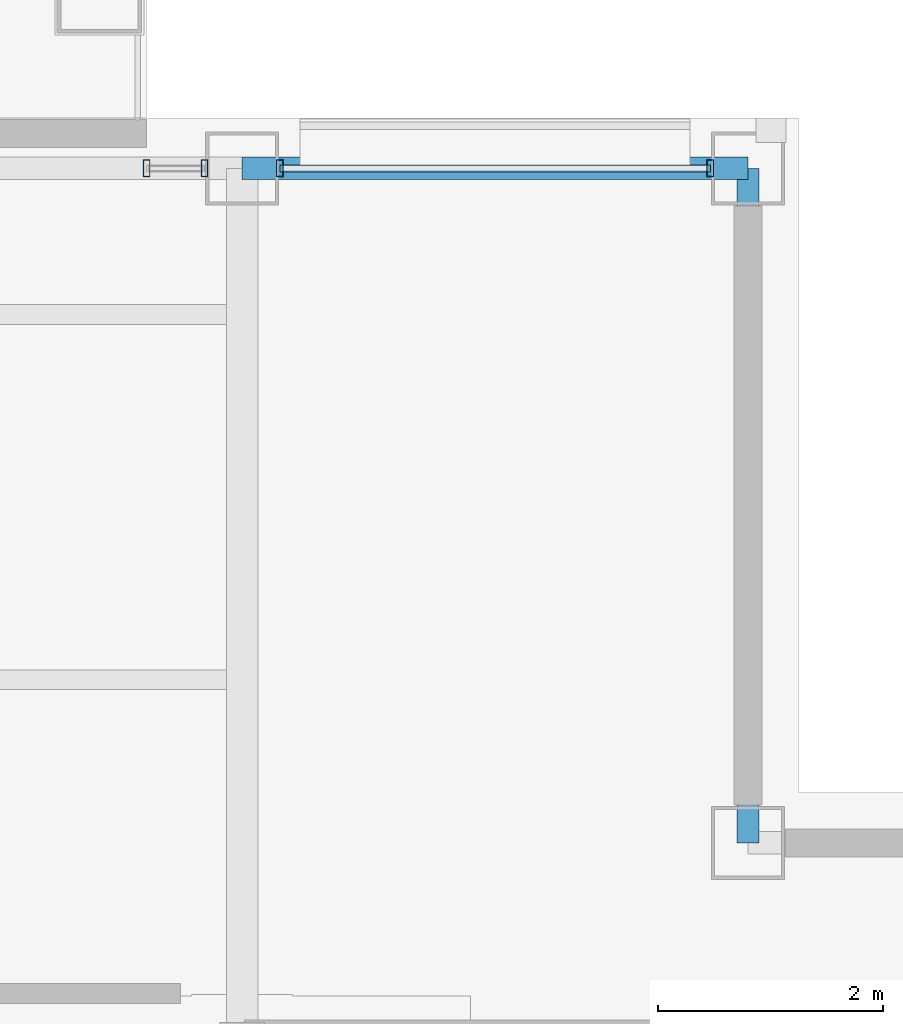
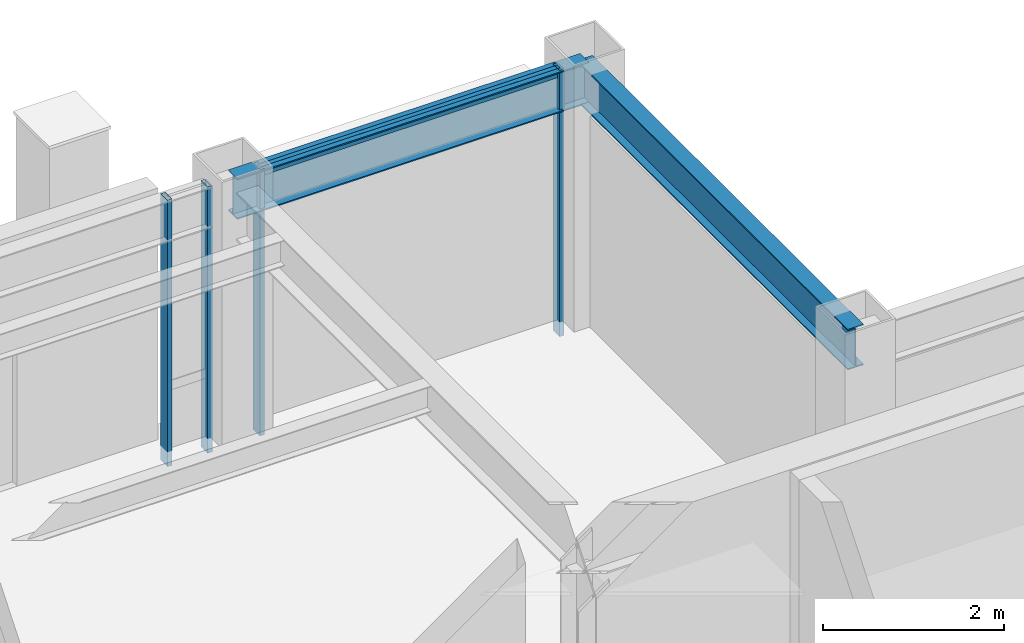
# One storey, part 16 of 24: 5 members, 2 beams, 2 elements without a shape of their own.
"""IFC4 building model written with IfcOpenShell, lengths in metres."""

import ifcopenshell
import ifcopenshell.guid

model = None  # the IFC model being written
_history = None  # IfcOwnerHistory: only IFC2X3 demands one
_inside = {}  # id of a spatial element -> (the spatial element, [elements in it])
_under = {}  # id of a project, library or spatial element -> (it, [spatial elements below it])
_declared = {}  # id of a project -> (the project, [libraries it declares])
_typed = {}  # id of a type object -> (the type object, [elements of that type])
_made_of = {}  # id of a material, layer set ... -> (it, [elements and type objects made of it])


def new_model(schema):
    """Start an empty IFC model of exactly this schema.

    Asked for "IFC4X3", IfcOpenShell would pick the latest addendum, in which some entities
    have other attributes; the version numbers below select the first issue.
    IFC2X3 requires an IfcOwnerHistory on every rooted entity: one is made here for all.
    """
    global model, _history
    if schema == "IFC4X3":
        model = ifcopenshell.file(schema_version=(4, 3, 0, 0))
    else:
        model = ifcopenshell.file(schema=schema)
    _inside.clear()
    _under.clear()
    _declared.clear()
    _typed.clear()
    _made_of.clear()
    _history = None
    if model.schema == "IFC2X3":
        org = make("IfcOrganization", Name="unknown")
        user = make(
            "IfcPersonAndOrganization",
            ThePerson=make("IfcPerson", FamilyName="unknown"),
            TheOrganization=org,
        )
        app = make(
            "IfcApplication",
            ApplicationDeveloper=org,
            Version="unknown",
            ApplicationFullName="unknown",
            ApplicationIdentifier="unknown",
        )
        _history = make(
            "IfcOwnerHistory",
            OwningUser=user,
            OwningApplication=app,
            ChangeAction="ADDED",
            CreationDate=0,
        )
    return model


def make(cls, **values):
    """One entity of the class cls with the attributes given. An attribute that is None is left unset."""
    return model.create_entity(
        cls, **{name: value for name, value in values.items() if value is not None}
    )


def rooted(cls, **values):
    """An entity with a GlobalId (a new one), such as an element, a storey or a relation."""
    return make(cls, GlobalId=ifcopenshell.guid.new(), OwnerHistory=_history, **values)


def si_unit(unit_type, name, prefix=None):
    """IfcSIUnit, for example si_unit("LENGTHUNIT", "METRE", prefix="MILLI")."""
    return make("IfcSIUnit", UnitType=unit_type, Prefix=prefix, Name=name)


def assignment(units):
    """IfcUnitAssignment: the units of a project."""
    return None if units is None else make("IfcUnitAssignment", Units=units)


def point(xyz):
    """IfcCartesianPoint."""
    return None if xyz is None else make("IfcCartesianPoint", Coordinates=xyz)


def direction(xyz):
    """IfcDirection."""
    return None if xyz is None else make("IfcDirection", DirectionRatios=xyz)


def frame(location, z_axis=None, x_axis=None):
    """IfcAxis2Placement3D, a coordinate frame: its origin and axes. An axis left out is left unset."""
    return make(
        "IfcAxis2Placement3D",
        Location=point(location),
        Axis=direction(z_axis),
        RefDirection=direction(x_axis),
    )


def frame_2d(location, x_axis=None):
    """IfcAxis2Placement2D, a coordinate frame in the plane: its origin and x axis."""
    return make(
        "IfcAxis2Placement2D", Location=point(location), RefDirection=direction(x_axis)
    )


def origin():
    """The frame at (0, 0, 0) with its axes left unset."""
    return frame((0.0, 0.0, 0.0))


def origin_2d():
    """The frame at (0, 0) in the plane with its x axis left unset."""
    return frame_2d((0.0, 0.0))


def place(relative_to, where):
    """IfcLocalPlacement: puts the frame where relative to a parent placement (None: the world)."""
    return make(
        "IfcLocalPlacement", PlacementRelTo=relative_to, RelativePlacement=where
    )


def context(
    kind, dimensions, precision=None, world=None, true_north=None, identifier=None
):
    """IfcGeometricRepresentationContext, for example the 3D "Model" context."""
    return make(
        "IfcGeometricRepresentationContext",
        ContextIdentifier=identifier,
        ContextType=kind,
        CoordinateSpaceDimension=dimensions,
        Precision=precision,
        WorldCoordinateSystem=world,
        TrueNorth=true_north,
    )


def subcontext(parent, identifier, kind, view, scale=None):
    """IfcGeometricRepresentationSubContext, for example "Body" below "Model"."""
    return make(
        "IfcGeometricRepresentationSubContext",
        ContextIdentifier=identifier,
        ContextType=kind,
        ParentContext=parent,
        TargetScale=scale,
        TargetView=view,
    )


def project(units=None, contexts=None):
    """IfcProject with its units and contexts."""
    return rooted(
        "IfcProject",
        Name="project",
        RepresentationContexts=contexts,
        UnitsInContext=assignment(units),
    )


def spatial(cls, under=None, at=None, **own):
    """A site, building, storey or space (cls), placed at a placement, below another one or the project."""
    s = rooted(cls, ObjectPlacement=at, **own)
    if under is not None:
        _under.setdefault(under.id(), (under, []))[1].append(s)
    return s


def profile(cls, at=None, kind="AREA", **sizes):
    """A parametric profile (cls). Its sizes go by their IFC names, for example OverallWidth=200.0."""
    return make(cls, ProfileType=kind, Position=at, **sizes)


def hollow_rectangle(**sizes):
    """IfcRectangleHollowProfileDef."""
    return profile("IfcRectangleHollowProfileDef", **sizes)


def i_section(**sizes):
    """IfcIShapeProfileDef."""
    return profile("IfcIShapeProfileDef", **sizes)


def extrude(swept, where, along, depth):
    """IfcExtrudedAreaSolid: the profile swept, set in the frame where, extruded along a direction by depth."""
    return make(
        "IfcExtrudedAreaSolid",
        SweptArea=swept,
        Position=where,
        ExtrudedDirection=direction(along),
        Depth=depth,
    )


def shape(context_of_items, identifier, shape_type, items):
    """IfcShapeRepresentation: the items that make up one representation, for example the "Body"."""
    return make(
        "IfcShapeRepresentation",
        ContextOfItems=context_of_items,
        RepresentationIdentifier=identifier,
        RepresentationType=shape_type,
        Items=items,
    )


def material(Name=None, Category=None):
    """IfcMaterial."""
    return make("IfcMaterial", Name=Name, Category=Category)


def layer(
    of_material, thickness, ventilated=None, Name=None, Category=None, Priority=None
):
    """IfcMaterialLayer: one layer of a wall or slab, of a material (None: an air gap)."""
    return make(
        "IfcMaterialLayer",
        Material=of_material,
        LayerThickness=thickness,
        IsVentilated=ventilated,
        Name=Name,
        Category=Category,
        Priority=Priority,
    )


def layer_set(layers, Name=None):
    """IfcMaterialLayerSet."""
    return make("IfcMaterialLayerSet", MaterialLayers=layers, LayerSetName=Name)


def material_profile(
    of_material, cross_section, Name=None, Category=None, Priority=None
):
    """IfcMaterialProfile: a cross section and its material."""
    return make(
        "IfcMaterialProfile",
        Name=Name,
        Material=of_material,
        Profile=cross_section,
        Priority=Priority,
        Category=Category,
    )


def profile_set(profiles, Name=None, composite=None):
    """IfcMaterialProfileSet."""
    return make(
        "IfcMaterialProfileSet",
        Name=Name,
        MaterialProfiles=profiles,
        CompositeProfile=composite,
    )


def made_of(thing, what):
    """Note that an element or type object is made of a material, layer set ...; save() writes the relation."""
    if what is not None:
        _made_of.setdefault(what.id(), (what, []))[1].append(thing)
    return thing


def type_object(cls, material=None, **own):
    """A type object (cls), such as IfcWallType, which elements share."""
    return made_of(rooted(cls, **own), material)


def element(
    cls,
    number,
    at=None,
    inside=None,
    cuts=None,
    type_object=None,
    material=None,
    context=None,
    identifier="Body",
    shape_type=None,
    held_by="IfcProductDefinitionShape",
    body=None,
    shapes=None,
    **own,
):
    """One element of the class cls, such as IfcWall. Its Tag is "e" and its number.

    at: its placement. inside: the storey or other place that contains it. cuts: it is an
    opening in that element (IfcRelVoidsElement). A single representation is given by context,
    identifier, shape_type and body (its items); several are given by shapes. held_by: the class
    of the entity that holds the representations. save() writes the other relations.
    """
    e = rooted(cls, Tag="e%d" % number, ObjectPlacement=at, **own)
    if body is not None:
        shapes = [shape(context, identifier, shape_type, body)]
    if shapes is not None:
        e.Representation = make(held_by, Representations=shapes)
    if inside is not None:
        _inside.setdefault(inside.id(), (inside, []))[1].append(e)
    if cuts is not None:
        rooted(
            "IfcRelVoidsElement", RelatingBuildingElement=cuts, RelatedOpeningElement=e
        )
    if type_object is not None:
        _typed.setdefault(type_object.id(), (type_object, []))[1].append(e)
    return made_of(e, material)


def aggregate(whole, parts):
    """IfcRelAggregates: a whole, such as a stair, and the parts it consists of."""
    return rooted("IfcRelAggregates", RelatingObject=whole, RelatedObjects=parts)


def save(model, path):
    """Write the relations noted so far, then the file.

    IfcRelAggregates (storeys below a building ...), IfcRelContainedInSpatialStructure (elements
    in a storey), IfcRelDefinesByType, IfcRelAssociatesMaterial and IfcRelDeclares: one each for
    every whole, place, type object, material and project.
    """
    for whole, parts in _under.values():
        aggregate(whole, parts)
    for where, things in _inside.values():
        rooted(
            "IfcRelContainedInSpatialStructure",
            RelatedElements=things,
            RelatingStructure=where,
        )
    for kind, things in _typed.values():
        rooted("IfcRelDefinesByType", RelatedObjects=things, RelatingType=kind)
    for what, things in _made_of.values():
        rooted("IfcRelAssociatesMaterial", RelatedObjects=things, RelatingMaterial=what)
    for by, libraries in _declared.values():
        rooted("IfcRelDeclares", RelatingContext=by, RelatedDefinitions=libraries)
    model.write(path)


model = new_model("IFC4")

# Units and contexts
model_context = context("Model", 3, precision=1e-05, world=origin(), true_north=direction((0.0, 1.0)))
body_context = subcontext(model_context, "Body", "Model", "MODEL_VIEW")
ifc_project = project(units=[si_unit("LENGTHUNIT", "METRE"), si_unit("AREAUNIT", "SQUARE_METRE"), si_unit("VOLUMEUNIT", "CUBIC_METRE"), si_unit("PLANEANGLEUNIT", "RADIAN"), si_unit("MASSUNIT", "GRAM", prefix="KILO")], contexts=[model_context])

# Site, building, storey
site_placement = place(None, origin())
site = spatial("IfcSite", under=ifc_project, at=site_placement, CompositionType="ELEMENT")
building_placement = place(site_placement, origin())
building = spatial("IfcBuilding", under=site, at=building_placement, Name="Brelmoor Portico Tower", CompositionType="ELEMENT")
storey_placement = place(building_placement, frame((0.0, 0.0, 229.199951171875)))
storey = spatial("IfcBuildingStorey", under=building, at=storey_placement, Name="L60", CompositionType="ELEMENT", Elevation=229.199951171875)

# Beams
ifc_material_1 = material(Name="Steel Q355B", Category="steel")
ifc_material_profile_1 = material_profile(ifc_material_1, i_section(OverallWidth=0.199951171875, OverallDepth=0.550048828125, WebThickness=0.010009765625, FlangeThickness=0.01611328125, at=origin_2d()), Name="HN 550x200x10x16")
ifc_profile_set_1 = profile_set([ifc_material_profile_1], Name="Steel Q355B")
beam_type = type_object("IfcBeamType", Name="BM-SP-550", PredefinedType="SPANDREL", material=ifc_profile_set_1)
beam_1_placement = place(storey_placement, frame((8.050048828125, 17.550048828125, 3.125), z_axis=(1.0, 0.0, 0.0), x_axis=(0.0, 1.0, 0.0)))
element("IfcBeam", 1, at=beam_1_placement, inside=storey, type_object=beam_type, Name="L60 Perimeter Spandrel Beam SP-10", PredefinedType="SPANDREL", context=body_context, shape_type="SweptSolid", body=[
    extrude(i_section(OverallWidth=0.199951171875, OverallDepth=0.550048828125, WebThickness=0.010009765625, FlangeThickness=0.01611328125, at=origin_2d()), origin(), (0.0, 0.0, 1.0), 4.5),
])
beam_2_placement = place(storey_placement, frame((12.550048828125, 11.550048828125, 3.125), z_axis=(0.0, 1.0, 0.0), x_axis=(-1.0, 0.0, 0.0)))
element("IfcBeam", 2, at=beam_2_placement, inside=storey, type_object=beam_type, Name="L60 Perimeter Spandrel Beam SP-17", PredefinedType="SPANDREL", context=body_context, shape_type="SweptSolid", body=[
    extrude(i_section(OverallWidth=0.199951171875, OverallDepth=0.550048828125, WebThickness=0.010009765625, FlangeThickness=0.01611328125, at=origin_2d()), origin(), (0.0, 0.0, 1.0), 6.0),
])

# Curtain wall, members
ifc_material_2 = material(Name="Anodised Aluminium Alloy 6063-T6", Category="aluminium")
ifc_layer_1 = layer(ifc_material_2, 0.179931640625)
ifc_layer_set_1 = layer_set([ifc_layer_1], Name="Anodised Aluminium Alloy 6063-T6")
curtain_wall_type_1 = type_object("IfcCurtainWallType", Name="CW-TOWER-Z4", PredefinedType="NOTDEFINED", material=ifc_layer_set_1)
curtain_wall_1_placement = place(storey_placement, origin())
curtain_wall_1 = element("IfcCurtainWall", 3, at=curtain_wall_1_placement, inside=storey, type_object=curtain_wall_type_1, Name="L60 Curtain Wall CW-L60-2R-1", PredefinedType="NOTDEFINED")
ifc_material_profile_2 = material_profile(ifc_material_2, hollow_rectangle(XDim=0.06005859375, YDim=0.14990234375, WallThickness=0.00390625, at=origin_2d()), Name="ALU MULLION 60x150")
ifc_profile_set_2 = profile_set([ifc_material_profile_2], Name="Anodised Aluminium Alloy 6063-T6")
member_type_1 = type_object("IfcMemberType", Name="MB-CW-MULL-150", PredefinedType="MULLION", material=ifc_profile_set_2)
member_1_placement = place(storey_placement, frame((7.199951171875, 17.550048828125, -0.199951171875), z_axis=(0.0, 0.0, 1.0), x_axis=(1.0, 0.0, 0.0)))
member_1 = element("IfcMember", 4, at=member_1_placement, type_object=member_type_1, Name="CW-L60-2R-1 Mullion 00", PredefinedType="MULLION", context=body_context, shape_type="SweptSolid", body=[
    extrude(hollow_rectangle(XDim=0.06005859375, YDim=0.14990234375, WallThickness=0.00390625, at=origin_2d()), origin(), (0.0, 0.0, 1.0), 3.60009765625),
])
member_2_placement = place(storey_placement, frame((7.715087890625, 17.550048828125, -0.199951171875), z_axis=(0.0, 0.0, 1.0), x_axis=(1.0, 0.0, 0.0)))
member_2 = element("IfcMember", 5, at=member_2_placement, type_object=member_type_1, Name="CW-L60-2R-1 Mullion 01", PredefinedType="MULLION", context=body_context, shape_type="SweptSolid", body=[
    extrude(hollow_rectangle(XDim=0.06005859375, YDim=0.14990234375, WallThickness=0.00390625, at=origin_2d()), origin(), (0.0, 0.0, 1.0), 3.60009765625),
])
aggregate(curtain_wall_1, [member_1, member_2])

ifc_layer_2 = layer(ifc_material_2, 0.179931640625)
ifc_layer_set_2 = layer_set([ifc_layer_2], Name="Anodised Aluminium Alloy 6063-T6")
curtain_wall_type_2 = type_object("IfcCurtainWallType", Name="CW-TOWER-Z4-XB", PredefinedType="NOTDEFINED", material=ifc_layer_set_2)
curtain_wall_2_placement = place(storey_placement, origin())
curtain_wall_2 = element("IfcCurtainWall", 6, at=curtain_wall_2_placement, inside=storey, type_object=curtain_wall_type_2, Name="L60 Curtain Wall CW-L60-2R-2", PredefinedType="NOTDEFINED")
member_3_placement = place(storey_placement, frame((8.385009765625, 17.550048828125, -0.199951171875), z_axis=(0.0, 0.0, 1.0), x_axis=(1.0, 0.0, 0.0)))
member_3 = element("IfcMember", 7, at=member_3_placement, type_object=member_type_1, Name="CW-L60-2R-2 Mullion 00", PredefinedType="MULLION", context=body_context, shape_type="SweptSolid", body=[
    extrude(hollow_rectangle(XDim=0.06005859375, YDim=0.14990234375, WallThickness=0.00390625, at=origin_2d()), origin(), (0.0, 0.0, 1.0), 3.60009765625),
])
member_4_placement = place(storey_placement, frame((12.215087890625, 17.550048828125, -0.199951171875), z_axis=(0.0, 0.0, 1.0), x_axis=(1.0, 0.0, 0.0)))
member_4 = element("IfcMember", 8, at=member_4_placement, type_object=member_type_1, Name="CW-L60-2R-2 Mullion 01", PredefinedType="MULLION", context=body_context, shape_type="SweptSolid", body=[
    extrude(hollow_rectangle(XDim=0.06005859375, YDim=0.14990234375, WallThickness=0.00390625, at=origin_2d()), origin(), (0.0, 0.0, 1.0), 3.60009765625),
])
ifc_material_profile_3 = material_profile(ifc_material_2, hollow_rectangle(XDim=0.06005859375, YDim=0.125, WallThickness=0.00341796875, at=origin_2d()), Name="ALU TRANSOM 60x125")
ifc_profile_set_3 = profile_set([ifc_material_profile_3], Name="Anodised Aluminium Alloy 6063-T6")
member_type_2 = type_object("IfcMemberType", Name="MB-CW-TRAN-125", PredefinedType="USERDEFINED", material=ifc_profile_set_3)
member_5_placement = place(storey_placement, frame((8.385009765625, 17.550048828125, 3.337646484375), z_axis=(1.0, 0.0, 0.0), x_axis=(0.0, 1.0, 0.0)))
member_5 = element("IfcMember", 9, at=member_5_placement, type_object=member_type_2, Name="CW-L60-2R-2 Transom 1-00", ObjectType="TRANSOM", PredefinedType="USERDEFINED", context=body_context, shape_type="SweptSolid", body=[
    extrude(hollow_rectangle(XDim=0.06005859375, YDim=0.125, WallThickness=0.00341796875, at=origin_2d()), origin(), (0.0, 0.0, 1.0), 3.830078125),
])
aggregate(curtain_wall_2, [member_3, member_4, member_5])

save(model, "model.ifc")
